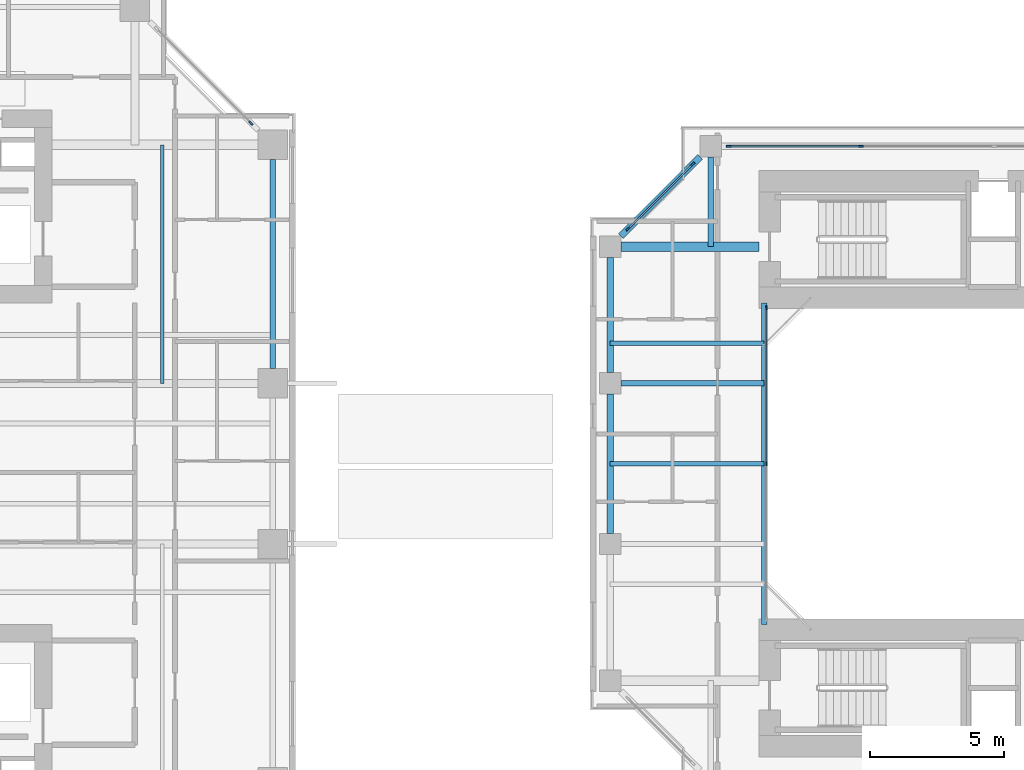
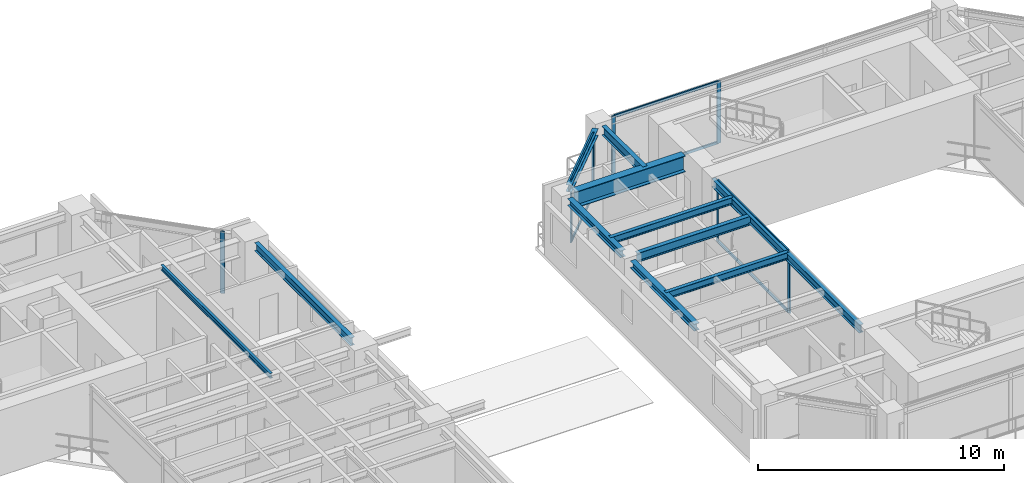
# One storey, part 8 of 23: 13 members, 11 beams, 4 elements without a shape of their own.
"""IFC4 building model written with IfcOpenShell, lengths in metres."""

import ifcopenshell
import ifcopenshell.guid

model = None  # the IFC model being written
_history = None  # IfcOwnerHistory: only IFC2X3 demands one
_inside = {}  # id of a spatial element -> (the spatial element, [elements in it])
_under = {}  # id of a project, library or spatial element -> (it, [spatial elements below it])
_declared = {}  # id of a project -> (the project, [libraries it declares])
_typed = {}  # id of a type object -> (the type object, [elements of that type])
_made_of = {}  # id of a material, layer set ... -> (it, [elements and type objects made of it])


def new_model(schema):
    """Start an empty IFC model of exactly this schema.

    Asked for "IFC4X3", IfcOpenShell would pick the latest addendum, in which some entities
    have other attributes; the version numbers below select the first issue.
    IFC2X3 requires an IfcOwnerHistory on every rooted entity: one is made here for all.
    """
    global model, _history
    if schema == "IFC4X3":
        model = ifcopenshell.file(schema_version=(4, 3, 0, 0))
    else:
        model = ifcopenshell.file(schema=schema)
    _inside.clear()
    _under.clear()
    _declared.clear()
    _typed.clear()
    _made_of.clear()
    _history = None
    if model.schema == "IFC2X3":
        org = make("IfcOrganization", Name="unknown")
        user = make(
            "IfcPersonAndOrganization",
            ThePerson=make("IfcPerson", FamilyName="unknown"),
            TheOrganization=org,
        )
        app = make(
            "IfcApplication",
            ApplicationDeveloper=org,
            Version="unknown",
            ApplicationFullName="unknown",
            ApplicationIdentifier="unknown",
        )
        _history = make(
            "IfcOwnerHistory",
            OwningUser=user,
            OwningApplication=app,
            ChangeAction="ADDED",
            CreationDate=0,
        )
    return model


def make(cls, **values):
    """One entity of the class cls with the attributes given. An attribute that is None is left unset."""
    return model.create_entity(
        cls, **{name: value for name, value in values.items() if value is not None}
    )


def rooted(cls, **values):
    """An entity with a GlobalId (a new one), such as an element, a storey or a relation."""
    return make(cls, GlobalId=ifcopenshell.guid.new(), OwnerHistory=_history, **values)


def si_unit(unit_type, name, prefix=None):
    """IfcSIUnit, for example si_unit("LENGTHUNIT", "METRE", prefix="MILLI")."""
    return make("IfcSIUnit", UnitType=unit_type, Prefix=prefix, Name=name)


def assignment(units):
    """IfcUnitAssignment: the units of a project."""
    return None if units is None else make("IfcUnitAssignment", Units=units)


def point(xyz):
    """IfcCartesianPoint."""
    return None if xyz is None else make("IfcCartesianPoint", Coordinates=xyz)


def direction(xyz):
    """IfcDirection."""
    return None if xyz is None else make("IfcDirection", DirectionRatios=xyz)


def frame(location, z_axis=None, x_axis=None):
    """IfcAxis2Placement3D, a coordinate frame: its origin and axes. An axis left out is left unset."""
    return make(
        "IfcAxis2Placement3D",
        Location=point(location),
        Axis=direction(z_axis),
        RefDirection=direction(x_axis),
    )


def frame_2d(location, x_axis=None):
    """IfcAxis2Placement2D, a coordinate frame in the plane: its origin and x axis."""
    return make(
        "IfcAxis2Placement2D", Location=point(location), RefDirection=direction(x_axis)
    )


def origin():
    """The frame at (0, 0, 0) with its axes left unset."""
    return frame((0.0, 0.0, 0.0))


def origin_2d():
    """The frame at (0, 0) in the plane with its x axis left unset."""
    return frame_2d((0.0, 0.0))


def place(relative_to, where):
    """IfcLocalPlacement: puts the frame where relative to a parent placement (None: the world)."""
    return make(
        "IfcLocalPlacement", PlacementRelTo=relative_to, RelativePlacement=where
    )


def context(
    kind, dimensions, precision=None, world=None, true_north=None, identifier=None
):
    """IfcGeometricRepresentationContext, for example the 3D "Model" context."""
    return make(
        "IfcGeometricRepresentationContext",
        ContextIdentifier=identifier,
        ContextType=kind,
        CoordinateSpaceDimension=dimensions,
        Precision=precision,
        WorldCoordinateSystem=world,
        TrueNorth=true_north,
    )


def subcontext(parent, identifier, kind, view, scale=None):
    """IfcGeometricRepresentationSubContext, for example "Body" below "Model"."""
    return make(
        "IfcGeometricRepresentationSubContext",
        ContextIdentifier=identifier,
        ContextType=kind,
        ParentContext=parent,
        TargetScale=scale,
        TargetView=view,
    )


def project(units=None, contexts=None):
    """IfcProject with its units and contexts."""
    return rooted(
        "IfcProject",
        Name="project",
        RepresentationContexts=contexts,
        UnitsInContext=assignment(units),
    )


def spatial(cls, under=None, at=None, **own):
    """A site, building, storey or space (cls), placed at a placement, below another one or the project."""
    s = rooted(cls, ObjectPlacement=at, **own)
    if under is not None:
        _under.setdefault(under.id(), (under, []))[1].append(s)
    return s


def profile(cls, at=None, kind="AREA", **sizes):
    """A parametric profile (cls). Its sizes go by their IFC names, for example OverallWidth=200.0."""
    return make(cls, ProfileType=kind, Position=at, **sizes)


def rectangle(**sizes):
    """IfcRectangleProfileDef."""
    return profile("IfcRectangleProfileDef", **sizes)


def i_section(**sizes):
    """IfcIShapeProfileDef."""
    return profile("IfcIShapeProfileDef", **sizes)


def extrude(swept, where, along, depth):
    """IfcExtrudedAreaSolid: the profile swept, set in the frame where, extruded along a direction by depth."""
    return make(
        "IfcExtrudedAreaSolid",
        SweptArea=swept,
        Position=where,
        ExtrudedDirection=direction(along),
        Depth=depth,
    )


def shape(context_of_items, identifier, shape_type, items):
    """IfcShapeRepresentation: the items that make up one representation, for example the "Body"."""
    return make(
        "IfcShapeRepresentation",
        ContextOfItems=context_of_items,
        RepresentationIdentifier=identifier,
        RepresentationType=shape_type,
        Items=items,
    )


def source(mapping_origin, context_of_items, identifier, shape_type, items):
    """IfcRepresentationMap: a shape defined once, which mapped items show again and again."""
    return make(
        "IfcRepresentationMap",
        MappingOrigin=mapping_origin,
        MappedRepresentation=shape(context_of_items, identifier, shape_type, items),
    )


def transform(
    local_origin,
    x_axis=None,
    y_axis=None,
    z_axis=None,
    scale=None,
    scale2=None,
    scale3=None,
    uniform=True,
):
    """IfcCartesianTransformationOperator3D, or its non-uniform kind. x_axis, y_axis, z_axis: its Axis1, 2, 3."""
    if uniform:
        return make(
            "IfcCartesianTransformationOperator3D",
            Axis1=direction(x_axis),
            Axis2=direction(y_axis),
            LocalOrigin=point(local_origin),
            Scale=scale,
            Axis3=direction(z_axis),
        )
    return make(
        "IfcCartesianTransformationOperator3DnonUniform",
        Axis1=direction(x_axis),
        Axis2=direction(y_axis),
        LocalOrigin=point(local_origin),
        Scale=scale,
        Axis3=direction(z_axis),
        Scale2=scale2,
        Scale3=scale3,
    )


def mapped(mapping_source, mapping_target):
    """IfcMappedItem: shows the shape of a source again, moved by a transform."""
    return make(
        "IfcMappedItem", MappingSource=mapping_source, MappingTarget=mapping_target
    )


def material(Name=None, Category=None):
    """IfcMaterial."""
    return make("IfcMaterial", Name=Name, Category=Category)


def layer(
    of_material, thickness, ventilated=None, Name=None, Category=None, Priority=None
):
    """IfcMaterialLayer: one layer of a wall or slab, of a material (None: an air gap)."""
    return make(
        "IfcMaterialLayer",
        Material=of_material,
        LayerThickness=thickness,
        IsVentilated=ventilated,
        Name=Name,
        Category=Category,
        Priority=Priority,
    )


def layer_set(layers, Name=None):
    """IfcMaterialLayerSet."""
    return make("IfcMaterialLayerSet", MaterialLayers=layers, LayerSetName=Name)


def material_profile(
    of_material, cross_section, Name=None, Category=None, Priority=None
):
    """IfcMaterialProfile: a cross section and its material."""
    return make(
        "IfcMaterialProfile",
        Name=Name,
        Material=of_material,
        Profile=cross_section,
        Priority=Priority,
        Category=Category,
    )


def profile_set(profiles, Name=None, composite=None):
    """IfcMaterialProfileSet."""
    return make(
        "IfcMaterialProfileSet",
        Name=Name,
        MaterialProfiles=profiles,
        CompositeProfile=composite,
    )


def made_of(thing, what):
    """Note that an element or type object is made of a material, layer set ...; save() writes the relation."""
    if what is not None:
        _made_of.setdefault(what.id(), (what, []))[1].append(thing)
    return thing


def type_object(cls, material=None, **own):
    """A type object (cls), such as IfcWallType, which elements share."""
    return made_of(rooted(cls, **own), material)


def element(
    cls,
    number,
    at=None,
    inside=None,
    cuts=None,
    type_object=None,
    material=None,
    context=None,
    identifier="Body",
    shape_type=None,
    held_by="IfcProductDefinitionShape",
    body=None,
    shapes=None,
    **own,
):
    """One element of the class cls, such as IfcWall. Its Tag is "e" and its number.

    at: its placement. inside: the storey or other place that contains it. cuts: it is an
    opening in that element (IfcRelVoidsElement). A single representation is given by context,
    identifier, shape_type and body (its items); several are given by shapes. held_by: the class
    of the entity that holds the representations. save() writes the other relations.
    """
    e = rooted(cls, Tag="e%d" % number, ObjectPlacement=at, **own)
    if body is not None:
        shapes = [shape(context, identifier, shape_type, body)]
    if shapes is not None:
        e.Representation = make(held_by, Representations=shapes)
    if inside is not None:
        _inside.setdefault(inside.id(), (inside, []))[1].append(e)
    if cuts is not None:
        rooted(
            "IfcRelVoidsElement", RelatingBuildingElement=cuts, RelatedOpeningElement=e
        )
    if type_object is not None:
        _typed.setdefault(type_object.id(), (type_object, []))[1].append(e)
    return made_of(e, material)


def aggregate(whole, parts):
    """IfcRelAggregates: a whole, such as a stair, and the parts it consists of."""
    return rooted("IfcRelAggregates", RelatingObject=whole, RelatedObjects=parts)


def save(model, path):
    """Write the relations noted so far, then the file.

    IfcRelAggregates (storeys below a building ...), IfcRelContainedInSpatialStructure (elements
    in a storey), IfcRelDefinesByType, IfcRelAssociatesMaterial and IfcRelDeclares: one each for
    every whole, place, type object, material and project.
    """
    for whole, parts in _under.values():
        aggregate(whole, parts)
    for where, things in _inside.values():
        rooted(
            "IfcRelContainedInSpatialStructure",
            RelatedElements=things,
            RelatingStructure=where,
        )
    for kind, things in _typed.values():
        rooted("IfcRelDefinesByType", RelatedObjects=things, RelatingType=kind)
    for what, things in _made_of.values():
        rooted("IfcRelAssociatesMaterial", RelatedObjects=things, RelatingMaterial=what)
    for by, libraries in _declared.values():
        rooted("IfcRelDeclares", RelatingContext=by, RelatedDefinitions=libraries)
    model.write(path)


model = new_model("IFC4")

# Units and contexts
model_context = context("Model", 3, precision=1e-05, world=origin(), true_north=direction((0.0, 1.0)))
body_context = subcontext(model_context, "Body", "Model", "MODEL_VIEW")
ifc_project = project(units=[si_unit("LENGTHUNIT", "METRE"), si_unit("AREAUNIT", "SQUARE_METRE"), si_unit("VOLUMEUNIT", "CUBIC_METRE"), si_unit("PLANEANGLEUNIT", "RADIAN"), si_unit("MASSUNIT", "GRAM", prefix="KILO"), si_unit("THERMODYNAMICTEMPERATUREUNIT", "KELVIN"), si_unit("POWERUNIT", "WATT")], contexts=[model_context])

# Site, building, storey
site_placement = place(None, origin())
site = spatial("IfcSite", under=ifc_project, at=site_placement, CompositionType="ELEMENT")
building_placement = place(site_placement, origin())
building = spatial("IfcBuilding", under=site, at=building_placement, Name="Qiaomeng Ring Towers", CompositionType="ELEMENT")
storey_placement = place(building_placement, frame((0.0, 0.0, 97.0)))
storey = spatial("IfcBuildingStorey", under=building, at=storey_placement, Name="L27", CompositionType="ELEMENT", Elevation=97.0)

# Beams
ifc_material_1 = material(Name="Steel Q355B", Category="steel")
ifc_material_profile_1 = material_profile(ifc_material_1, i_section(OverallWidth=0.199951171875, OverallDepth=0.39990234375, WebThickness=0.008056640625, FlangeThickness=0.012939453125, FilletRadius=0.01611328125, at=origin_2d()), Name="HN 400x200x8x13")
ifc_profile_set_1 = profile_set([ifc_material_profile_1], Name="Steel Q355B")
beam_type_1 = type_object("IfcBeamType", Name="STR-BM-HN400", PredefinedType="SPANDREL", material=ifc_profile_set_1)
shared_shape_1 = source(origin(), body_context, "Body", "SweptSolid", [
    extrude(i_section(OverallWidth=0.199951171875, OverallDepth=0.39990234375, WebThickness=0.008056640625, FlangeThickness=0.012939453125, FilletRadius=0.01611328125, at=origin_2d()), origin(), (0.0, 0.0, 1.0), 12.0),
])
beam_1_placement = place(storey_placement, frame((54.39990234375, 17.0, 2.8701171875), z_axis=(0.0, 1.0, 0.0), x_axis=(-1.0, 0.0, 0.0)))
element("IfcBeam", 1, at=beam_1_placement, inside=storey, type_object=beam_type_1, Name="L27 beam STR-BM-L27-T2-WELL-W", PredefinedType="SPANDREL", context=body_context, shape_type="MappedRepresentation", body=[
    mapped(shared_shape_1, transform((0.0, 0.0, 0.0), x_axis=(1.0, 0.0, 0.0), y_axis=(0.0, 1.0, 0.0), z_axis=(0.0, 0.0, 1.0), scale=1.0)),
])
ifc_material_profile_2 = material_profile(ifc_material_1, i_section(OverallWidth=0.25, OverallDepth=0.340087890625, WebThickness=0.009033203125, FlangeThickness=0.013916015625, FilletRadius=0.02001953125, at=origin_2d()), Name="HM 340x250x9x14")
ifc_profile_set_2 = profile_set([ifc_material_profile_2], Name="Steel Q355B")
beam_type_2 = type_object("IfcBeamType", Name="STR-BM-HM340", PredefinedType="SPANDREL", material=ifc_profile_set_2)
shared_shape_2 = source(origin(), body_context, "Body", "SweptSolid", [
    extrude(i_section(OverallWidth=0.25, OverallDepth=0.340087890625, WebThickness=0.009033203125, FlangeThickness=0.013916015625, FilletRadius=0.02001953125, at=origin_2d()), origin(), (0.0, 0.0, 1.0), 4.173828125),
])
beam_2_placement = place(storey_placement, frame((52.000732421875, 34.45068359375, 2.89990234375), z_axis=(-0.707106781187, -0.707106781187, 0.0), x_axis=(0.707106781187, -0.707106781187, 0.0)))
element("IfcBeam", 2, at=beam_2_placement, inside=storey, type_object=beam_type_2, Name="L27 beam STR-SP-L27-T2-N1-W4", PredefinedType="SPANDREL", context=body_context, shape_type="MappedRepresentation", body=[
    mapped(shared_shape_2, transform((0.0, 0.0, 0.0), x_axis=(1.0, 0.0, 0.0), y_axis=(0.0, 1.0, 0.0), z_axis=(0.0, 0.0, 1.0), scale=1.0)),
])
shared_shape_3 = source(origin(), body_context, "Body", "SweptSolid", [
    extrude(i_section(OverallWidth=0.25, OverallDepth=0.340087890625, WebThickness=0.009033203125, FlangeThickness=0.013916015625, FilletRadius=0.02001953125, at=origin_2d()), origin(), (0.0, 0.0, 1.0), 4.302001953125),
])
beam_3_placement = place(storey_placement, frame((48.64990234375, 30.700927734375, 2.89990234375), z_axis=(0.0, -1.0, 0.0), x_axis=(1.0, 0.0, 0.0)))
element("IfcBeam", 3, at=beam_3_placement, inside=storey, type_object=beam_type_2, Name="L27 beam STR-SP-L27-T2-W4-W3", PredefinedType="SPANDREL", context=body_context, shape_type="MappedRepresentation", body=[
    mapped(shared_shape_3, transform((0.0, 0.0, 0.0), x_axis=(1.0, 0.0, 0.0), y_axis=(0.0, 1.0, 0.0), z_axis=(0.0, 0.0, 1.0), scale=1.0)),
])
shared_shape_4 = source(origin(), body_context, "Body", "SweptSolid", [
    extrude(i_section(OverallWidth=0.25, OverallDepth=0.340087890625, WebThickness=0.009033203125, FlangeThickness=0.013916015625, FilletRadius=0.02001953125, at=origin_2d()), origin(), (0.0, 0.0, 1.0), 5.2021484375),
])
beam_4_placement = place(storey_placement, frame((48.64990234375, 25.60107421875, 2.89990234375), z_axis=(0.0, -1.0, 0.0), x_axis=(1.0, 0.0, 0.0)))
element("IfcBeam", 4, at=beam_4_placement, inside=storey, type_object=beam_type_2, Name="L27 beam STR-SP-L27-T2-W3-W2", PredefinedType="SPANDREL", context=body_context, shape_type="MappedRepresentation", body=[
    mapped(shared_shape_4, transform((0.0, 0.0, 0.0), x_axis=(1.0, 0.0, 0.0), y_axis=(0.0, 1.0, 0.0), z_axis=(0.0, 0.0, 1.0), scale=1.0)),
])
ifc_material_2 = material(Name="Steel Q390GJC", Category="steel")
ifc_material_profile_3 = material_profile(ifc_material_2, i_section(OverallWidth=0.35009765625, OverallDepth=0.800048828125, WebThickness=0.01611328125, FlangeThickness=0.028076171875, at=origin_2d()), Name="WH 800x350x16x28")
ifc_profile_set_3 = profile_set([ifc_material_profile_3], Name="Steel Q390GJC")
beam_type_3 = type_object("IfcBeamType", Name="STR-BM-WH800", PredefinedType="BEAM", material=ifc_profile_set_3)
shared_shape_5 = source(origin(), body_context, "Body", "SweptSolid", [
    extrude(i_section(OverallWidth=0.35009765625, OverallDepth=0.800048828125, WebThickness=0.01611328125, FlangeThickness=0.028076171875, at=origin_2d()), origin(), (0.0, 0.0, 1.0), 5.15087890625),
])
beam_5_placement = place(storey_placement, frame((49.049072265625, 31.10009765625, 2.669921875), z_axis=(1.0, 0.0, 0.0), x_axis=(0.0, 1.0, 0.0)))
element("IfcBeam", 5, at=beam_5_placement, inside=storey, type_object=beam_type_3, Name="L27 beam STR-BM-L27-T2-RAD-W4", PredefinedType="BEAM", context=body_context, shape_type="MappedRepresentation", body=[
    mapped(shared_shape_5, transform((0.0, 0.0, 0.0), x_axis=(1.0, 0.0, 0.0), y_axis=(0.0, 1.0, 0.0), z_axis=(0.0, 0.0, 1.0), scale=1.0)),
])
ifc_material_profile_4 = material_profile(ifc_material_1, i_section(OverallWidth=0.199951171875, OverallDepth=0.449951171875, WebThickness=0.009033203125, FlangeThickness=0.013916015625, FilletRadius=0.01806640625, at=origin_2d()), Name="HN 450x200x9x14")
ifc_profile_set_4 = profile_set([ifc_material_profile_4], Name="Steel Q355B")
beam_type_4 = type_object("IfcBeamType", Name="STR-BM-HN450", PredefinedType="SPANDREL", material=ifc_profile_set_4)
shared_shape_6 = source(origin(), body_context, "Body", "SweptSolid", [
    extrude(i_section(OverallWidth=0.199951171875, OverallDepth=0.449951171875, WebThickness=0.009033203125, FlangeThickness=0.013916015625, FilletRadius=0.01806640625, at=origin_2d()), origin(), (0.0, 0.0, 1.0), 5.350830078125),
])
beam_6_placement = place(storey_placement, frame((49.049072265625, 26.0, 2.844970703125), z_axis=(1.0, 0.0, 0.0), x_axis=(0.0, 1.0, 0.0)))
element("IfcBeam", 6, at=beam_6_placement, inside=storey, type_object=beam_type_4, Name="L27 beam STR-BM-L27-T2-RAD-W3", PredefinedType="SPANDREL", context=body_context, shape_type="MappedRepresentation", body=[
    mapped(shared_shape_6, transform((0.0, 0.0, 0.0), x_axis=(1.0, 0.0, 0.0), y_axis=(0.0, 1.0, 0.0), z_axis=(0.0, 0.0, 1.0), scale=1.0)),
])
shared_shape_7 = source(origin(), body_context, "Body", "SweptSolid", [
    extrude(i_section(OverallWidth=0.199951171875, OverallDepth=0.449951171875, WebThickness=0.009033203125, FlangeThickness=0.013916015625, FilletRadius=0.01806640625, at=origin_2d()), origin(), (0.0, 0.0, 1.0), 3.350830078125),
])
beam_7_placement = place(storey_placement, frame((52.39990234375, 34.450927734375, 2.844970703125), z_axis=(0.0, -1.0, 0.0), x_axis=(1.0, 0.0, 0.0)))
element("IfcBeam", 7, at=beam_7_placement, inside=storey, type_object=beam_type_4, Name="L27 beam STR-BM-L27-T2-RAD-N1", PredefinedType="SPANDREL", context=body_context, shape_type="MappedRepresentation", body=[
    mapped(shared_shape_7, transform((0.0, 0.0, 0.0), x_axis=(1.0, 0.0, 0.0), y_axis=(0.0, 1.0, 0.0), z_axis=(0.0, 0.0, 1.0), scale=1.0)),
])
ifc_material_profile_5 = material_profile(ifc_material_1, i_section(OverallWidth=0.175048828125, OverallDepth=0.35009765625, WebThickness=0.007080078125, FlangeThickness=0.010986328125, FilletRadius=0.013916015625, at=origin_2d()), Name="HN 350x175x7x11")
ifc_profile_set_5 = profile_set([ifc_material_profile_5], Name="Steel Q355B")
beam_type_5 = type_object("IfcBeamType", Name="STR-BM-HN350", PredefinedType="JOIST", material=ifc_profile_set_5)
shared_shape_8 = source(origin(), body_context, "Body", "SweptSolid", [
    extrude(i_section(OverallWidth=0.175048828125, OverallDepth=0.35009765625, WebThickness=0.007080078125, FlangeThickness=0.010986328125, FilletRadius=0.013916015625, at=origin_2d()), origin(), (0.0, 0.0, 1.0), 5.75),
])
for number, where, z_axis, x_axis, name in (
    (8, (48.64990234375, 23.0, 2.89501953125), (1.0, 0.0, 0.0), (0.0, 1.0, 0.0), "L27 beam STR-JST-L27-T2W-2"),
    (9, (48.64990234375, 27.5, 2.89501953125), (1.0, 0.0, 0.0), (0.0, 1.0, 0.0), "L27 beam STR-JST-L27-T2W-3"),
):
    element("IfcBeam", number, at=place(storey_placement, frame(where, z_axis=z_axis, x_axis=x_axis)), inside=storey, type_object=beam_type_5, Name=name, PredefinedType="JOIST", context=body_context, shape_type="MappedRepresentation", body=[
        mapped(shared_shape_8, transform((0.0, 0.0, 0.0), x_axis=(1.0, 0.0, 0.0), y_axis=(0.0, 1.0, 0.0), z_axis=(0.0, 0.0, 1.0), scale=1.0)),
    ])
shared_shape_9 = source(origin(), body_context, "Body", "SweptSolid", [
    extrude(i_section(OverallWidth=0.199951171875, OverallDepth=0.39990234375, WebThickness=0.008056640625, FlangeThickness=0.012939453125, FilletRadius=0.01611328125, at=origin_2d()), origin(), (0.0, 0.0, 1.0), 7.802001953125),
])
beam_8_placement = place(storey_placement, frame((36.050048828125, 26.549072265625, 2.8701171875), z_axis=(0.0, 1.0, 0.0), x_axis=(-1.0, 0.0, 0.0)))
element("IfcBeam", 10, at=beam_8_placement, inside=storey, type_object=beam_type_1, Name="L27 beam STR-SP-L27-T1-E3-E4", PredefinedType="SPANDREL", context=body_context, shape_type="MappedRepresentation", body=[
    mapped(shared_shape_9, transform((0.0, 0.0, 0.0), x_axis=(1.0, 0.0, 0.0), y_axis=(0.0, 1.0, 0.0), z_axis=(0.0, 0.0, 1.0), scale=1.0)),
])
ifc_material_profile_6 = material_profile(ifc_material_1, i_section(OverallWidth=0.125, OverallDepth=0.25, WebThickness=0.006103515625, FlangeThickness=0.009033203125, FilletRadius=0.011962890625, at=origin_2d()), Name="HN 250x125x6x9")
ifc_profile_set_6 = profile_set([ifc_material_profile_6], Name="Steel Q355B")
beam_type_6 = type_object("IfcBeamType", Name="STR-BM-HN250", PredefinedType="JOIST", material=ifc_profile_set_6)
shared_shape_10 = source(origin(), body_context, "Body", "SweptSolid", [
    extrude(i_section(OverallWidth=0.125, OverallDepth=0.25, WebThickness=0.006103515625, FlangeThickness=0.009033203125, FilletRadius=0.011962890625, at=origin_2d()), origin(), (0.0, 0.0, 1.0), 8.89990234375),
])
beam_9_placement = place(storey_placement, frame((31.925048828125, 26.0, 2.945068359375), z_axis=(0.0, 1.0, 0.0), x_axis=(-1.0, 0.0, 0.0)))
element("IfcBeam", 11, at=beam_9_placement, inside=storey, type_object=beam_type_6, Name="L27 beam STR-JST-L27-T1C-EN", PredefinedType="JOIST", context=body_context, shape_type="MappedRepresentation", body=[
    mapped(shared_shape_10, transform((0.0, 0.0, 0.0), x_axis=(1.0, 0.0, 0.0), y_axis=(0.0, 1.0, 0.0), z_axis=(0.0, 0.0, 1.0), scale=1.0)),
])

# Curtain wall, members
ifc_material_3 = material(Name="Fluorocarbon dark-grey aluminium", Category="aluminium")
ifc_layer_1 = layer(ifc_material_3, 0.139892578125, Name="Fluorocarbon dark-grey aluminium")
ifc_layer_set_1 = layer_set([ifc_layer_1], Name="Fluorocarbon dark-grey aluminium")
curtain_wall_type_1 = type_object("IfcCurtainWallType", Name="ARC-CW-4", PredefinedType="NOTDEFINED", material=ifc_layer_set_1)
curtain_wall_1_placement = place(storey_placement, origin())
curtain_wall_1 = element("IfcCurtainWall", 12, at=curtain_wall_1_placement, inside=storey, type_object=curtain_wall_type_1, Name="L27 Curtain Wall CW4", PredefinedType="NOTDEFINED")
ifc_material_profile_7 = material_profile(ifc_material_3, rectangle(XDim=0.06494140625, YDim=0.159912109375, at=origin_2d()), Name="ALU MULL 65x160")
ifc_profile_set_7 = profile_set([ifc_material_profile_7], Name="Fluorocarbon dark-grey aluminium")
member_type_1 = type_object("IfcMemberType", Name="ARC-CWM-140", PredefinedType="MULLION", material=ifc_profile_set_7)
shared_shape_11 = source(origin(), body_context, "Body", "SweptSolid", [
    extrude(rectangle(XDim=0.06494140625, YDim=0.159912109375, at=origin_2d()), origin(), (0.0, 0.0, 1.0), 3.070068359375),
])
member_1_placement = place(storey_placement, frame((54.47998046875, 23.0, 0.0), z_axis=(0.0, 0.0, 1.0), x_axis=(-1.0, 0.0, 0.0)))
member_1 = element("IfcMember", 13, at=member_1_placement, type_object=member_type_1, Name="CW4 mullion 2", PredefinedType="MULLION", context=body_context, shape_type="MappedRepresentation", body=[
    mapped(shared_shape_11, transform((0.0, 0.0, 0.0), x_axis=(1.0, 0.0, 0.0), y_axis=(0.0, 1.0, 0.0), z_axis=(0.0, 0.0, 1.0), scale=1.0)),
])
member_2_placement = place(storey_placement, frame((54.47998046875, 28.8173828125, 0.0), z_axis=(0.0, 0.0, 1.0), x_axis=(-1.0, 0.0, 0.0)))
member_2 = element("IfcMember", 14, at=member_2_placement, type_object=member_type_1, Name="CW4 mullion 3", PredefinedType="MULLION", context=body_context, shape_type="MappedRepresentation", body=[
    mapped(shared_shape_11, transform((0.0, 0.0, 0.0), x_axis=(1.0, 0.0, 0.0), y_axis=(0.0, 1.0, 0.0), z_axis=(0.0, 0.0, 1.0), scale=1.0)),
])
ifc_material_profile_8 = material_profile(ifc_material_3, rectangle(XDim=0.06494140625, YDim=0.1298828125, at=origin_2d()), Name="ALU TRAN 65x130")
ifc_profile_set_8 = profile_set([ifc_material_profile_8], Name="Fluorocarbon dark-grey aluminium")
member_type_2 = type_object("IfcMemberType", Name="ARC-CWT-120", PredefinedType="USERDEFINED", material=ifc_profile_set_8)
shared_shape_12 = source(origin(), body_context, "Body", "SweptSolid", [
    extrude(rectangle(XDim=0.06494140625, YDim=0.1298828125, at=origin_2d()), origin(), (0.0, 0.0, 1.0), 5.75244140625),
])
member_3_placement = place(storey_placement, frame((54.47998046875, 23.032470703125, 0.032470703125), z_axis=(0.0, 1.0, 0.0), x_axis=(-1.0, 0.0, 0.0)))
member_3 = element("IfcMember", 15, at=member_3_placement, type_object=member_type_2, Name="CW4 transom 2.1", ObjectType="TRANSOM", PredefinedType="USERDEFINED", context=body_context, shape_type="MappedRepresentation", body=[
    mapped(shared_shape_12, transform((0.0, 0.0, 0.0), x_axis=(1.0, 0.0, 0.0), y_axis=(0.0, 1.0, 0.0), z_axis=(0.0, 0.0, 1.0), scale=1.0)),
])
member_4_placement = place(storey_placement, frame((54.47998046875, 23.032470703125, 3.03759765625), z_axis=(0.0, 1.0, 0.0), x_axis=(-1.0, 0.0, 0.0)))
member_4 = element("IfcMember", 16, at=member_4_placement, type_object=member_type_2, Name="CW4 transom 2.2", ObjectType="TRANSOM", PredefinedType="USERDEFINED", context=body_context, shape_type="MappedRepresentation", body=[
    mapped(shared_shape_12, transform((0.0, 0.0, 0.0), x_axis=(1.0, 0.0, 0.0), y_axis=(0.0, 1.0, 0.0), z_axis=(0.0, 0.0, 1.0), scale=1.0)),
])
aggregate(curtain_wall_1, [member_1, member_2, member_3, member_4])

# Curtain wall, member
ifc_layer_2 = layer(ifc_material_3, 0.14990234375, Name="Fluorocarbon dark-grey aluminium")
ifc_layer_set_2 = layer_set([ifc_layer_2], Name="Fluorocarbon dark-grey aluminium")
curtain_wall_type_2 = type_object("IfcCurtainWallType", Name="ARC-CW-3", PredefinedType="NOTDEFINED", material=ifc_layer_set_2)
curtain_wall_2_placement = place(storey_placement, origin())
curtain_wall_2 = element("IfcCurtainWall", 17, at=curtain_wall_2_placement, inside=storey, type_object=curtain_wall_type_2, Name="L27 Curtain Wall CW3", PredefinedType="NOTDEFINED")
ifc_material_profile_9 = material_profile(ifc_material_3, rectangle(XDim=0.070068359375, YDim=0.179931640625, at=origin_2d()), Name="ALU MULL 70x180")
ifc_profile_set_9 = profile_set([ifc_material_profile_9], Name="Fluorocarbon dark-grey aluminium")
member_type_3 = type_object("IfcMemberType", Name="ARC-CWM-160", PredefinedType="MULLION", material=ifc_profile_set_9)
shared_shape_13 = source(origin(), body_context, "Body", "SweptSolid", [
    extrude(rectangle(XDim=0.070068359375, YDim=0.179931640625, at=origin_2d()), origin(), (0.0, 0.0, 1.0), 3.070068359375),
])
member_5_placement = place(storey_placement, frame((35.2353515625, 35.71484375, 0.0), z_axis=(0.0, 0.0, 1.0), x_axis=(-0.707106781187, -0.707106781187, 0.0)))
member_5 = element("IfcMember", 18, at=member_5_placement, type_object=member_type_3, Name="CW3 mullion 1", PredefinedType="MULLION", context=body_context, shape_type="MappedRepresentation", body=[
    mapped(shared_shape_13, transform((0.0, 0.0, 0.0), x_axis=(1.0, 0.0, 0.0), y_axis=(0.0, 1.0, 0.0), z_axis=(0.0, 0.0, 1.0), scale=1.0)),
])
aggregate(curtain_wall_2, [member_5])

# Curtain wall, members
ifc_layer_3 = layer(ifc_material_3, 0.14990234375, Name="Fluorocarbon dark-grey aluminium")
ifc_layer_set_3 = layer_set([ifc_layer_3], Name="Fluorocarbon dark-grey aluminium")
curtain_wall_type_3 = type_object("IfcCurtainWallType", Name="ARC-CW-5", PredefinedType="NOTDEFINED", material=ifc_layer_set_3)
curtain_wall_3_placement = place(storey_placement, origin())
curtain_wall_3 = element("IfcCurtainWall", 19, at=curtain_wall_3_placement, inside=storey, type_object=curtain_wall_type_3, Name="L27 Curtain Wall CW5", PredefinedType="NOTDEFINED")
member_6_placement = place(storey_placement, frame((53.074951171875, 34.85009765625, 0.0), z_axis=(0.0, 0.0, 1.0), x_axis=(0.0, 1.0, 0.0)))
member_6 = element("IfcMember", 20, at=member_6_placement, type_object=member_type_3, Name="CW5 mullion 1", PredefinedType="MULLION", context=body_context, shape_type="MappedRepresentation", body=[
    mapped(shared_shape_13, transform((0.0, 0.0, 0.0), x_axis=(1.0, 0.0, 0.0), y_axis=(0.0, 1.0, 0.0), z_axis=(0.0, 0.0, 1.0), scale=1.0)),
])
member_7_placement = place(storey_placement, frame((58.013427734375, 34.85009765625, 0.0), z_axis=(0.0, 0.0, 1.0), x_axis=(0.0, 1.0, 0.0)))
member_7 = element("IfcMember", 21, at=member_7_placement, type_object=member_type_3, Name="CW5 mullion 2", PredefinedType="MULLION", context=body_context, shape_type="MappedRepresentation", body=[
    mapped(shared_shape_13, transform((0.0, 0.0, 0.0), x_axis=(1.0, 0.0, 0.0), y_axis=(0.0, 1.0, 0.0), z_axis=(0.0, 0.0, 1.0), scale=1.0)),
])

curtain_wall_4_placement = place(storey_placement, origin())
curtain_wall_4 = element("IfcCurtainWall", 22, at=curtain_wall_4_placement, inside=storey, type_object=curtain_wall_type_3, Name="L27 Curtain Wall CW5", PredefinedType="NOTDEFINED")
member_8_placement = place(storey_placement, frame((51.7353515625, 34.185302734375, 0.0), z_axis=(0.0, 0.0, 1.0), x_axis=(0.707106781187, -0.707106781187, 0.0)))
member_8 = element("IfcMember", 23, at=member_8_placement, type_object=member_type_3, Name="CW5 mullion 1", PredefinedType="MULLION", context=body_context, shape_type="MappedRepresentation", body=[
    mapped(shared_shape_13, transform((0.0, 0.0, 0.0), x_axis=(1.0, 0.0, 0.0), y_axis=(0.0, 1.0, 0.0), z_axis=(0.0, 0.0, 1.0), scale=1.0)),
])
member_9_placement = place(storey_placement, frame((49.314697265625, 31.7646484375, 0.0), z_axis=(0.0, 0.0, 1.0), x_axis=(0.707106781187, -0.707106781187, 0.0)))
member_9 = element("IfcMember", 24, at=member_9_placement, type_object=member_type_3, Name="CW5 mullion 2", PredefinedType="MULLION", context=body_context, shape_type="MappedRepresentation", body=[
    mapped(shared_shape_13, transform((0.0, 0.0, 0.0), x_axis=(1.0, 0.0, 0.0), y_axis=(0.0, 1.0, 0.0), z_axis=(0.0, 0.0, 1.0), scale=1.0)),
])

# Member
shared_shape_14 = source(origin(), body_context, "Body", "SweptSolid", [
    extrude(rectangle(XDim=0.06494140625, YDim=0.1298828125, at=origin_2d()), origin(), (0.0, 0.0, 1.0), 4.8681640625),
])
member_10_placement = place(storey_placement, frame((53.110107421875, 34.85009765625, 0.032470703125), z_axis=(1.0, 0.0, 0.0), x_axis=(0.0, 1.0, 0.0)))
member_10 = element("IfcMember", 25, at=member_10_placement, type_object=member_type_2, Name="CW5 transom 1.1", ObjectType="TRANSOM", PredefinedType="USERDEFINED", context=body_context, shape_type="MappedRepresentation", body=[
    mapped(shared_shape_14, transform((0.0, 0.0, 0.0), x_axis=(1.0, 0.0, 0.0), y_axis=(0.0, 1.0, 0.0), z_axis=(0.0, 0.0, 1.0), scale=1.0)),
])

member_11_placement = place(storey_placement, frame((53.110107421875, 34.85009765625, 3.03759765625), z_axis=(1.0, 0.0, 0.0), x_axis=(0.0, 1.0, 0.0)))
member_11 = element("IfcMember", 26, at=member_11_placement, type_object=member_type_2, Name="CW5 transom 1.2", ObjectType="TRANSOM", PredefinedType="USERDEFINED", context=body_context, shape_type="MappedRepresentation", body=[
    mapped(shared_shape_14, transform((0.0, 0.0, 0.0), x_axis=(1.0, 0.0, 0.0), y_axis=(0.0, 1.0, 0.0), z_axis=(0.0, 0.0, 1.0), scale=1.0)),
])

aggregate(curtain_wall_3, [member_6, member_7, member_10, member_11])

shared_shape_15 = source(origin(), body_context, "Body", "SweptSolid", [
    extrude(rectangle(XDim=0.06494140625, YDim=0.1298828125, at=origin_2d()), origin(), (0.0, 0.0, 1.0), 3.352783203125),
])
member_12_placement = place(storey_placement, frame((51.71044921875, 34.160400390625, 0.032470703125), z_axis=(-0.707106781187, -0.707106781187, 0.0), x_axis=(0.707106781187, -0.707106781187, 0.0)))
member_12 = element("IfcMember", 27, at=member_12_placement, type_object=member_type_2, Name="CW5 transom 1.1", ObjectType="TRANSOM", PredefinedType="USERDEFINED", context=body_context, shape_type="MappedRepresentation", body=[
    mapped(shared_shape_15, transform((0.0, 0.0, 0.0), x_axis=(1.0, 0.0, 0.0), y_axis=(0.0, 1.0, 0.0), z_axis=(0.0, 0.0, 1.0), scale=1.0)),
])

member_13_placement = place(storey_placement, frame((51.71044921875, 34.160400390625, 3.03759765625), z_axis=(-0.707106781187, -0.707106781187, 0.0), x_axis=(0.707106781187, -0.707106781187, 0.0)))
member_13 = element("IfcMember", 28, at=member_13_placement, type_object=member_type_2, Name="CW5 transom 1.2", ObjectType="TRANSOM", PredefinedType="USERDEFINED", context=body_context, shape_type="MappedRepresentation", body=[
    mapped(shared_shape_15, transform((0.0, 0.0, 0.0), x_axis=(1.0, 0.0, 0.0), y_axis=(0.0, 1.0, 0.0), z_axis=(0.0, 0.0, 1.0), scale=1.0)),
])

aggregate(curtain_wall_4, [member_8, member_9, member_12, member_13])

save(model, "model.ifc")
